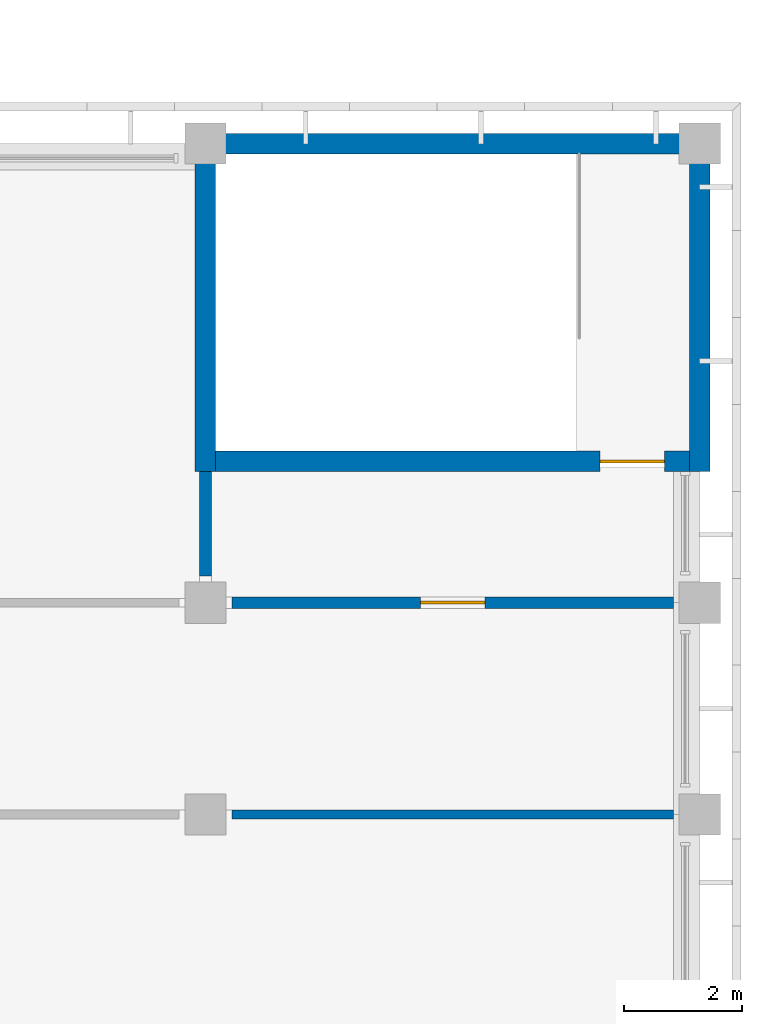
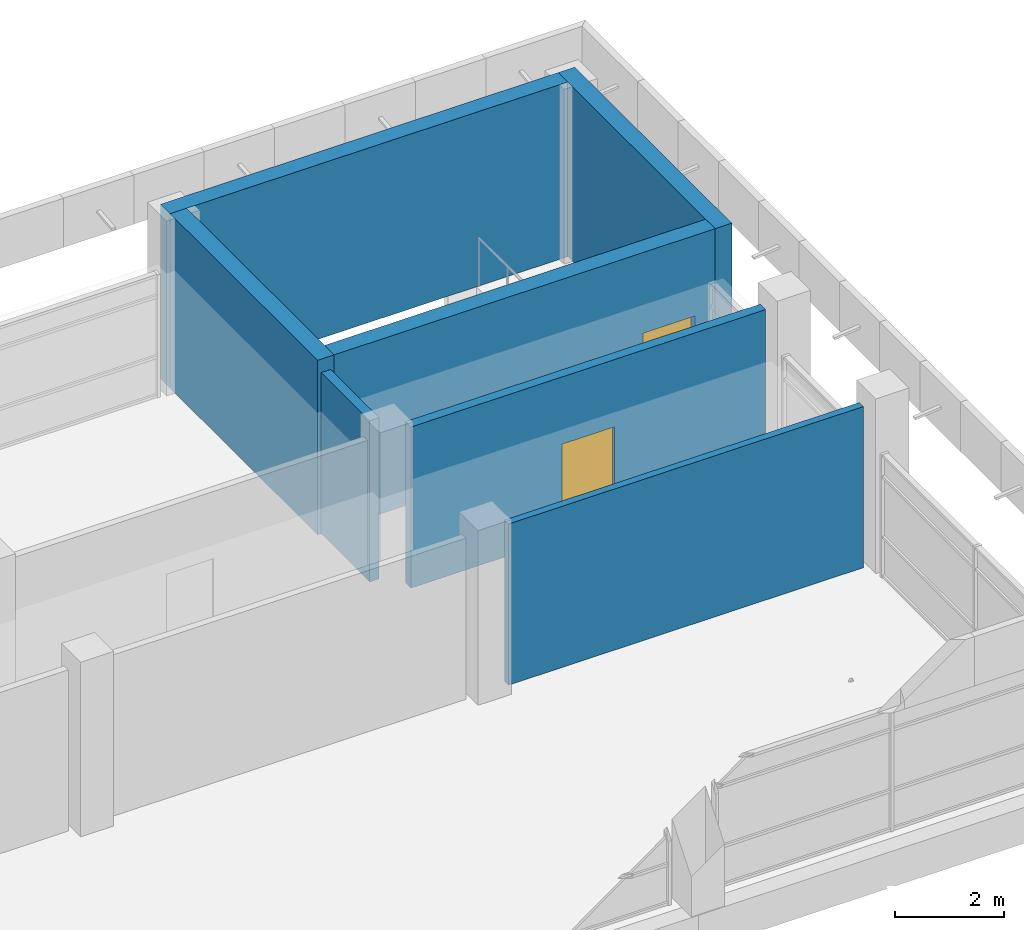
# One storey, part 21 of 36: 7 walls, 2 doors, 2 openings.
"""IFC4 building model written with IfcOpenShell, lengths in metres."""

from ifc_helpers import new_model, si_unit, direction, frame, frame_2d, origin, place, context, subcontext, project, spatial, rectangle, extrude, material, layer, layer_set, type_object, element, fill, save


model = new_model("IFC4")

# Units and contexts
model_context = context("Model", 3, precision=1e-05, world=origin(), true_north=direction((0.0, 1.0)))
body_context = subcontext(model_context, "Body", "Model", "MODEL_VIEW")
ifc_project = project(units=[si_unit("LENGTHUNIT", "METRE"), si_unit("AREAUNIT", "SQUARE_METRE"), si_unit("VOLUMEUNIT", "CUBIC_METRE"), si_unit("PLANEANGLEUNIT", "RADIAN"), si_unit("MASSUNIT", "GRAM", prefix="KILO")], contexts=[model_context])

# Site, building, storey
site_placement = place(None, origin())
site = spatial("IfcSite", under=ifc_project, at=site_placement, CompositionType="ELEMENT")
building_placement = place(site_placement, origin())
building = spatial("IfcBuilding", under=site, at=building_placement, Name="Bougainvillea Quay General Hospital", CompositionType="ELEMENT")
storey_placement = place(building_placement, frame((0.0, 0.0, 32.699951171875)))
storey = spatial("IfcBuildingStorey", under=building, at=storey_placement, Name="L07", CompositionType="ELEMENT", Elevation=32.699951171875)

# Wall
ifc_material_1 = material(Name="Gypsum board partition on steel studs, insulated", Category="steel")
ifc_layer_1 = layer(ifc_material_1, 0.14990234375)
ifc_layer_set_1 = layer_set([ifc_layer_1], Name="Gypsum board partition on steel studs, insulated")
wall_type_1 = type_object("IfcWallType", Name="Partition 150 Gypsum board partition EI 30", PredefinedType="PARTITIONING", material=ifc_layer_set_1)
wall_1_placement = place(storey_placement, frame((176.85009765625, 148.199951171875, 0.0), z_axis=(0.0, 0.0, 1.0), x_axis=(1.0, 0.0, 0.0)))
element("IfcWall", 1, at=wall_1_placement, inside=storey, type_object=wall_type_1, Name="Partition 150 mm EI 30", PredefinedType="PARTITIONING", context=body_context, shape_type="SweptSolid", body=[
    extrude(rectangle(XDim=7.5, YDim=0.14990234375, at=frame_2d((3.75, 0.0))), origin(), (0.0, 0.0, 1.0), 3.60009765625),
])

# Wall, opening, door
ifc_material_2 = material(Name="Fire-rated autoclaved aerated block wall, plastered")
ifc_layer_2 = layer(ifc_material_2, 0.199951171875)
ifc_layer_set_2 = layer_set([ifc_layer_2], Name="Fire-rated autoclaved aerated block wall, plastered")
wall_type_2 = type_object("IfcWallType", Name="Partition 200 Fire-rated autoclaved aerated block wall EI 120", PredefinedType="SOLIDWALL", material=ifc_layer_set_2)
wall_2_placement = place(storey_placement, frame((176.85009765625, 151.800048828125, 0.0), z_axis=(0.0, 0.0, 1.0), x_axis=(1.0, 0.0, 0.0)))
wall_2 = element("IfcWall", 2, at=wall_2_placement, inside=storey, type_object=wall_type_2, Name="Partition 200 mm EI 120", PredefinedType="SOLIDWALL", context=body_context, shape_type="SweptSolid", body=[
    extrude(rectangle(XDim=7.5, YDim=0.199951171875, at=frame_2d((3.75, 0.0))), origin(), (0.0, 0.0, 1.0), 3.60009765625),
])
opening_1_placement = place(wall_2_placement, frame((3.199951171875, 0.0, 0.0)))
opening_1 = element("IfcOpeningElement", 3, at=opening_1_placement, cuts=wall_2, Name="Opening L07.079", PredefinedType="OPENING", context=body_context, shape_type="SweptSolid", body=[
    extrude(rectangle(XDim=1.10009765625, YDim=2.10009765625, at=frame_2d((0.550048828125, 1.050048828125))), frame((0.0, 0.10986328125, 0.0), z_axis=(0.0, -1.0, 0.0), x_axis=(1.0, 0.0, 0.0)), (0.0, 0.0, 1.0), 0.219970703125),
])
ifc_material_3 = material(Name="Steel fire door leaf in steel frame", Category="steel")
door_type = type_object("IfcDoorType", Name="Steel single leaf door 1100x2100 FD60", OperationType="NOTDEFINED", PredefinedType="DOOR", material=ifc_material_3)
door_1_placement = place(opening_1_placement, origin())
door_1 = element("IfcDoor", 4, at=door_1_placement, inside=storey, type_object=door_type, Name="DT04 L07.079", OperationType="SINGLE_SWING_RIGHT", OverallHeight=2.10009765625, OverallWidth=1.10009765625, PredefinedType="DOOR", context=body_context, shape_type="SweptSolid", body=[
    extrude(rectangle(XDim=1.10009765625, YDim=2.10009765625, at=frame_2d((0.550048828125, 1.050048828125))), frame((0.0, 0.02490234375, 0.0), z_axis=(0.0, -1.0, 0.0), x_axis=(1.0, 0.0, 0.0)), (0.0, 0.0, 1.0), 0.050048828125),
])
fill(opening_1, door_1)

# Walls
wall_3_placement = place(storey_placement, frame((176.39990234375, 152.25, 0.0), z_axis=(0.0, 0.0, 1.0), x_axis=(0.0, 1.0, 0.0)))
element("IfcWall", 5, at=wall_3_placement, inside=storey, type_object=wall_type_2, Name="Partition 200 mm EI 120", PredefinedType="SOLIDWALL", context=body_context, shape_type="SweptSolid", body=[
    extrude(rectangle(XDim=1.77490234375, YDim=0.199951171875, at=frame_2d((0.887451171875, 0.0))), origin(), (0.0, 0.0, 1.0), 3.60009765625),
])
ifc_material_4 = material(Name="Concrete C40", Category="concrete")
ifc_layer_3 = layer(ifc_material_4, 0.35009765625)
ifc_layer_set_3 = layer_set([ifc_layer_3], Name="Concrete C40")
wall_type_3 = type_object("IfcWallType", Name="RC SHEAR WALL 350 C40", PredefinedType="SHEAR", material=ifc_layer_set_3)
wall_4_placement = place(storey_placement, frame((176.22509765625, 159.60009765625, 0.0), z_axis=(0.0, 0.0, 1.0), x_axis=(1.0, 0.0, 0.0)))
element("IfcWall", 6, at=wall_4_placement, inside=storey, type_object=wall_type_3, Name="Shear wall L07", PredefinedType="SHEAR", context=body_context, shape_type="SweptSolid", body=[
    extrude(rectangle(XDim=8.39990234375, YDim=0.35009765625, at=frame_2d((4.199951171875, 0.0))), origin(), (0.0, 0.0, 1.0), 3.900146484375),
])
wall_5_placement = place(storey_placement, frame((176.39990234375, 154.02490234375, 0.0), z_axis=(0.0, 0.0, 1.0), x_axis=(0.0, 1.0, 0.0)))
element("IfcWall", 7, at=wall_5_placement, inside=storey, type_object=wall_type_3, Name="Shear wall L07", PredefinedType="SHEAR", context=body_context, shape_type="SweptSolid", body=[
    extrude(rectangle(XDim=5.400146484375, YDim=0.35009765625, at=frame_2d((2.7001953125, 0.0))), origin(), (0.0, 0.0, 1.0), 3.900146484375),
])

# Wall, opening, door
wall_6_placement = place(storey_placement, frame((176.574951171875, 154.199951171875, 0.0), z_axis=(0.0, 0.0, 1.0), x_axis=(1.0, 0.0, 0.0)))
wall_6 = element("IfcWall", 8, at=wall_6_placement, inside=storey, type_object=wall_type_3, Name="Shear wall L07", PredefinedType="SHEAR", context=body_context, shape_type="SweptSolid", body=[
    extrude(rectangle(XDim=8.050048828125, YDim=0.35009765625, at=frame_2d((4.02490234375, 0.0))), origin(), (0.0, 0.0, 1.0), 3.900146484375),
])
opening_2_placement = place(wall_6_placement, frame((6.52490234375, 0.0, 0.0)))
opening_2 = element("IfcOpeningElement", 9, at=opening_2_placement, cuts=wall_6, Name="Opening L07.078", PredefinedType="OPENING", context=body_context, shape_type="SweptSolid", body=[
    extrude(rectangle(XDim=1.10009765625, YDim=2.10009765625, at=frame_2d((0.550048828125, 1.050048828125))), frame((0.0, 0.18505859375, 0.0), z_axis=(0.0, -1.0, 0.0), x_axis=(1.0, 0.0, 0.0)), (0.0, 0.0, 1.0), 0.3701171875),
])
door_2_placement = place(opening_2_placement, origin())
door_2 = element("IfcDoor", 10, at=door_2_placement, inside=storey, type_object=door_type, Name="DT04 L07.078", OperationType="SINGLE_SWING_RIGHT", OverallHeight=2.10009765625, OverallWidth=1.10009765625, PredefinedType="DOOR", context=body_context, shape_type="SweptSolid", body=[
    extrude(rectangle(XDim=1.10009765625, YDim=2.10009765625, at=frame_2d((0.550048828125, 1.050048828125))), frame((0.0, 0.02490234375, 0.0), z_axis=(0.0, -1.0, 0.0), x_axis=(1.0, 0.0, 0.0)), (0.0, 0.0, 1.0), 0.050048828125),
])
fill(opening_2, door_2)

# Wall
wall_7_placement = place(storey_placement, frame((184.800048828125, 154.02490234375, 0.0), z_axis=(0.0, 0.0, 1.0), x_axis=(0.0, 1.0, 0.0)))
element("IfcWall", 11, at=wall_7_placement, inside=storey, type_object=wall_type_3, Name="Shear wall L07", PredefinedType="SHEAR", context=body_context, shape_type="SweptSolid", body=[
    extrude(rectangle(XDim=5.75, YDim=0.35009765625, at=frame_2d((2.875, 0.0))), origin(), (0.0, 0.0, 1.0), 3.900146484375),
])

save(model, "model.ifc")
